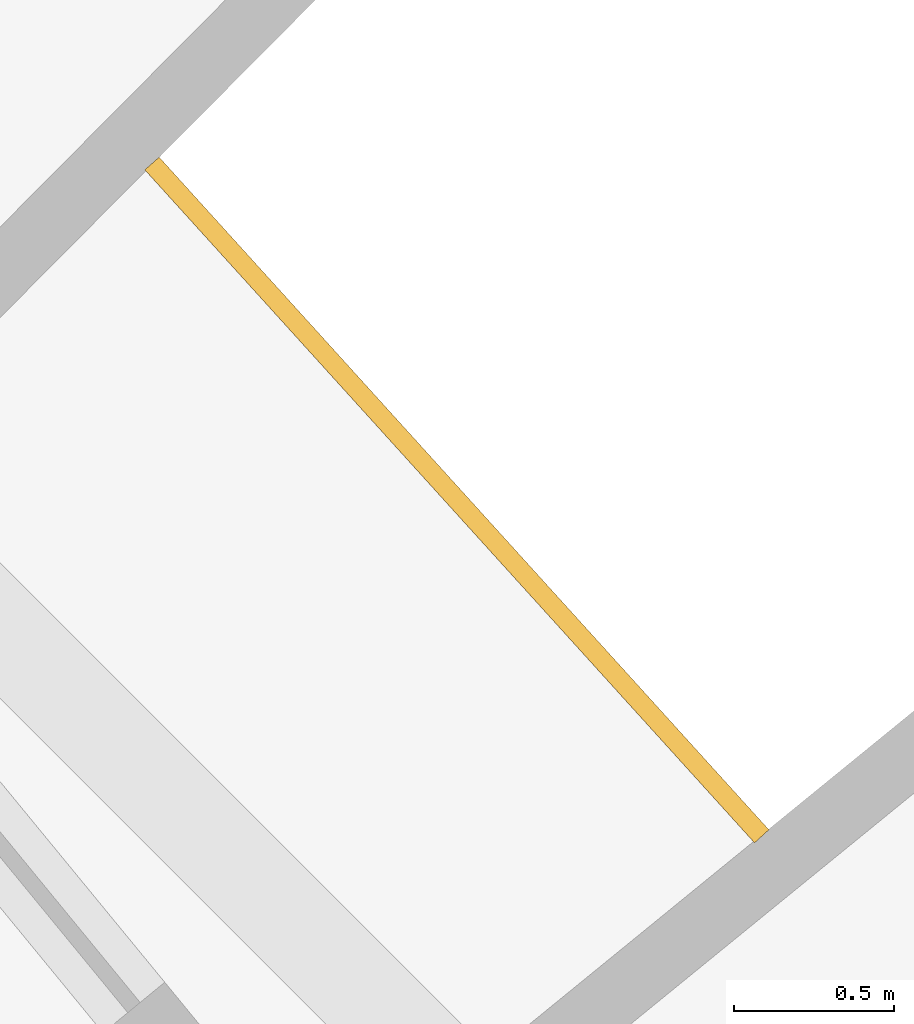
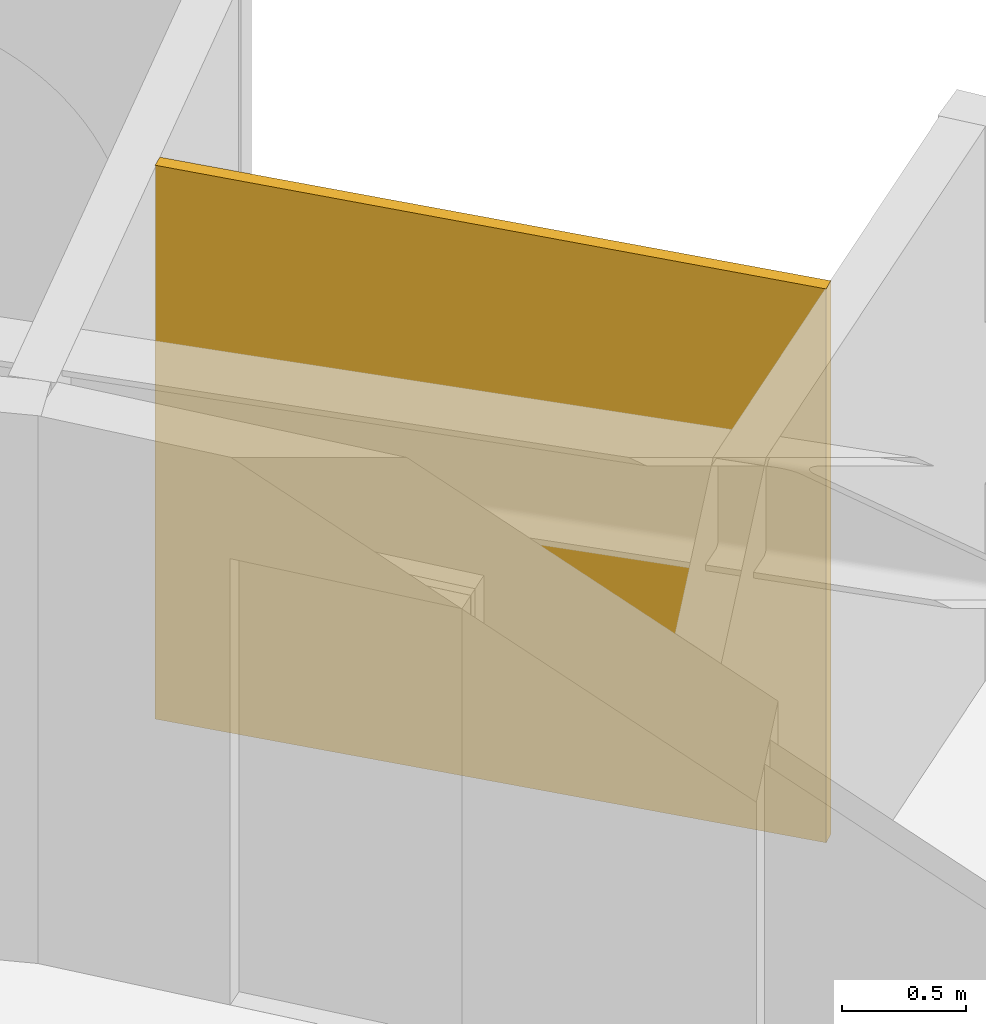
# One storey, part 26 of 26: 1 railing.
"""IFC4 building model written with IfcOpenShell, lengths in metres."""

from ifc_helpers import new_model, si_unit, direction, frame, origin, place, context, subcontext, project, spatial, polyline, outline, extrude, material, layer, layer_set, type_object, element, save


model = new_model("IFC4")

# Units and contexts
model_context = context("Model", 3, precision=1e-05, world=origin(), true_north=direction((0.0, 1.0)))
body_context = subcontext(model_context, "Body", "Model", "MODEL_VIEW")
ifc_project = project(units=[si_unit("LENGTHUNIT", "METRE"), si_unit("AREAUNIT", "SQUARE_METRE"), si_unit("VOLUMEUNIT", "CUBIC_METRE"), si_unit("PLANEANGLEUNIT", "RADIAN"), si_unit("MASSUNIT", "GRAM", prefix="KILO")], contexts=[model_context])

# Site, building, storey
site_placement = place(None, origin())
site = spatial("IfcSite", under=ifc_project, at=site_placement, CompositionType="ELEMENT")
building_placement = place(site_placement, origin())
building = spatial("IfcBuilding", under=site, at=building_placement, Name="Maasbend Ring Residences", CompositionType="ELEMENT")
storey_placement = place(building_placement, frame((0.0, 0.0, 47.199951171875)))
storey = spatial("IfcBuildingStorey", under=building, at=storey_placement, Name="L13", CompositionType="ELEMENT", Elevation=47.199951171875)

# Railing
ifc_material = material(Name="Pale anodised perforated aluminium", Category="aluminium")
ifc_layer = layer(ifc_material, 0.06005859375)
ifc_layer_set = layer_set([ifc_layer], Name="SCREEN-P")
railing_type = type_object("IfcRailingType", Name="SCREEN-P", PredefinedType="GUARDRAIL", material=ifc_layer_set)
railing_placement = place(storey_placement, frame((0.0, 0.0, -0.030029296875)))
element("IfcRailing", 1, at=railing_placement, inside=storey, type_object=railing_type, Name="Perforated screen guard 1", PredefinedType="GUARDRAIL", context=body_context, shape_type="SweptSolid", body=[
    extrude(outline(polyline([(22.4169921875, 18.39697265625), (20.506103515625, 20.506103515625), (20.551025390625, 20.5458984375), (22.4619140625, 18.43798828125), (22.4169921875, 18.39697265625)])), origin(), (0.0, 0.0, 1.0), 2.72998046875),
])

save(model, "model.ifc")
